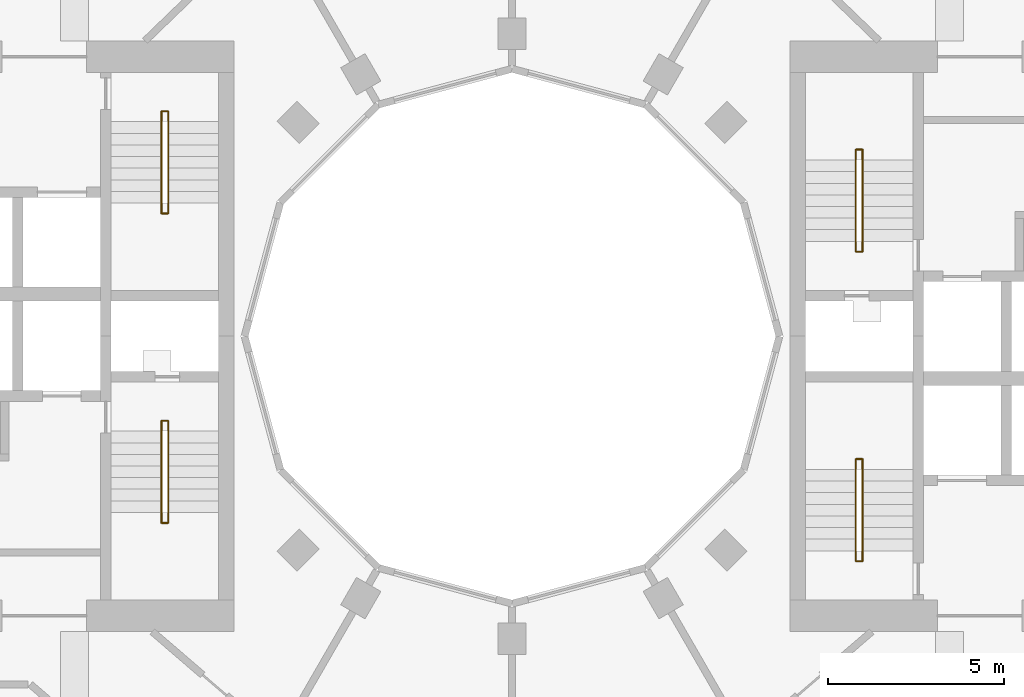
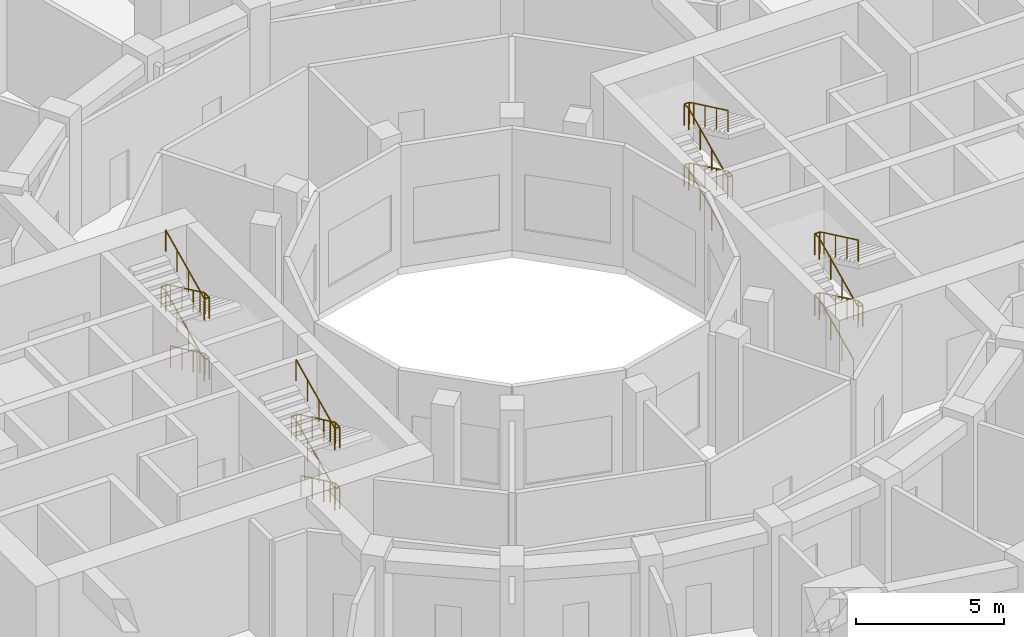
# One storey, part 18 of 19: 4 railings.
"""IFC4 building model written with IfcOpenShell, lengths in metres."""

from ifc_helpers import new_model, si_unit, direction, frame, origin, origin_2d, place, context, subcontext, project, spatial, circle, extrude, material, type_object, element, save


model = new_model("IFC4")

# Units and contexts
model_context = context("Model", 3, precision=1e-05, world=origin(), true_north=direction((0.0, 1.0)))
body_context = subcontext(model_context, "Body", "Model", "MODEL_VIEW")
ifc_project = project(units=[si_unit("LENGTHUNIT", "METRE"), si_unit("AREAUNIT", "SQUARE_METRE"), si_unit("VOLUMEUNIT", "CUBIC_METRE"), si_unit("PLANEANGLEUNIT", "RADIAN"), si_unit("MASSUNIT", "GRAM", prefix="KILO")], contexts=[model_context])

# Site, building, storey
site_placement = place(None, origin())
site = spatial("IfcSite", under=ifc_project, at=site_placement, CompositionType="ELEMENT")
building_placement = place(site_placement, origin())
building = spatial("IfcBuilding", under=site, at=building_placement, Name="Torre Brocal", CompositionType="ELEMENT")
storey_placement = place(building_placement, frame((0.0, 0.0, 23.800048828125)))
storey = spatial("IfcBuildingStorey", under=building, at=storey_placement, Name="L04", CompositionType="ELEMENT", Elevation=23.800048828125)

# Railings
ifc_material = material(Name="Stainless steel AISI 316", Category="steel")
railing_type = type_object("IfcRailingType", Name="STAIR HANDRAIL", PredefinedType="HANDRAIL", material=ifc_material)
railing_1_placement = place(storey_placement, frame((89.780029296875, 77.699951171875, 0.15625)))
element("IfcRailing", 1, at=railing_1_placement, inside=storey, type_object=railing_type, Name="HANDRAIL ST1", PredefinedType="HANDRAIL", context=body_context, shape_type="SweptSolid", body=[
    extrude(circle(Radius=0.02392578125, at=origin_2d()), frame((0.0, 0.0, 0.8759765625), z_axis=(0.0, 0.903811734687, 0.427930307694), x_axis=(-1.0, 0.0, 0.0)), (0.0, 0.0, 1.0), 2.555908203125),
    extrude(circle(Radius=0.02392578125, at=origin_2d()), frame((0.0, 2.31005859375, 1.9697265625), z_axis=(0.0, 1.0, 0.0), x_axis=(-1.0, 0.0, 0.0)), (0.0, 0.0, 1.0), 0.300048828125),
    extrude(circle(Radius=0.02392578125, at=origin_2d()), frame((0.0, 2.610107421875, 1.9697265625), z_axis=(1.0, 0.0, 0.0), x_axis=(0.0, 1.0, 0.0)), (0.0, 0.0, 1.0), 0.18994140625),
    extrude(circle(Radius=0.02392578125, at=origin_2d()), frame((0.18994140625, 2.610107421875, 1.9697265625), z_axis=(0.0, -0.886944881109, 0.461875283897), x_axis=(1.0, 0.0, 0.0)), (0.0, 0.0, 1.0), 0.33837890625),
    extrude(circle(Radius=0.02392578125, at=origin_2d()), frame((0.18994140625, 2.31005859375, 2.1259765625), z_axis=(0.0, -0.903811734687, 0.427930307694), x_axis=(1.0, 0.0, 0.0)), (0.0, 0.0, 1.0), 2.555908203125),
    extrude(circle(Radius=0.02392578125, at=origin_2d()), frame((0.18994140625, 0.0, 3.2197265625), z_axis=(0.0, -1.0, 0.0), x_axis=(1.0, 0.0, 0.0)), (0.0, 0.0, 1.0), 0.300048828125),
    extrude(circle(Radius=0.02392578125, at=origin_2d()), frame((0.18994140625, -0.300048828125, 3.2197265625), z_axis=(-1.0, 0.0, 0.0), x_axis=(0.0, -1.0, 0.0)), (0.0, 0.0, 1.0), 0.18994140625),
    extrude(circle(Radius=0.02392578125, at=origin_2d()), frame((0.0, -0.300048828125, 3.2197265625), z_axis=(0.0, 0.886944881109, 0.461875283897), x_axis=(-1.0, 0.0, 0.0)), (0.0, 0.0, 1.0), 0.33837890625),
    extrude(circle(Radius=0.02392578125, at=origin_2d()), frame((0.0, 0.0, 3.3759765625), z_axis=(0.0, 0.903811734687, 0.427930307694), x_axis=(-1.0, 0.0, 0.0)), (0.0, 0.0, 1.0), 2.555908203125),
    extrude(circle(Radius=0.02392578125, at=origin_2d()), frame((0.0, 2.31005859375, 4.4697265625), z_axis=(0.0, 1.0, 0.0), x_axis=(-1.0, 0.0, 0.0)), (0.0, 0.0, 1.0), 0.300048828125),
    extrude(circle(Radius=0.02392578125, at=origin_2d()), frame((0.0, 2.610107421875, 4.4697265625), z_axis=(1.0, 0.0, 0.0), x_axis=(0.0, 1.0, 0.0)), (0.0, 0.0, 1.0), 0.18994140625),
    extrude(circle(Radius=0.02392578125, at=origin_2d()), frame((0.18994140625, 2.610107421875, 4.4697265625), z_axis=(0.0, -0.886944881109, 0.461875283897), x_axis=(1.0, 0.0, 0.0)), (0.0, 0.0, 1.0), 0.33837890625),
    extrude(circle(Radius=0.02392578125, at=origin_2d()), frame((0.18994140625, 2.31005859375, 4.6259765625), z_axis=(0.0, -0.903811734687, 0.427930307694), x_axis=(1.0, 0.0, 0.0)), (0.0, 0.0, 1.0), 2.555908203125),
    extrude(circle(Radius=0.02099609375, at=origin_2d()), origin(), (0.0, 0.0, 1.0), 0.851806640625),
    extrude(circle(Radius=0.02099609375, at=origin_2d()), frame((0.0, 0.77001953125, 0.364501953125)), (0.0, 0.0, 1.0), 0.851806640625),
    extrude(circle(Radius=0.02099609375, at=origin_2d()), frame((0.0, 1.5400390625, 0.729248046875)), (0.0, 0.0, 1.0), 0.851806640625),
    extrude(circle(Radius=0.02099609375, at=origin_2d()), frame((0.0, 2.31005859375, 1.09375)), (0.0, 0.0, 1.0), 0.851806640625),
    extrude(circle(Radius=0.02099609375, at=origin_2d()), frame((0.0, 2.610107421875, 1.09375)), (0.0, 0.0, 1.0), 0.851806640625),
    extrude(circle(Radius=0.02099609375, at=origin_2d()), frame((0.18994140625, 2.610107421875, 1.09375)), (0.0, 0.0, 1.0), 0.851806640625),
    extrude(circle(Radius=0.02099609375, at=origin_2d()), frame((0.18994140625, 2.31005859375, 1.25)), (0.0, 0.0, 1.0), 0.851806640625),
    extrude(circle(Radius=0.02099609375, at=origin_2d()), frame((0.18994140625, 1.5400390625, 1.614501953125)), (0.0, 0.0, 1.0), 0.851806640625),
    extrude(circle(Radius=0.02099609375, at=origin_2d()), frame((0.18994140625, 0.77001953125, 1.979248046875)), (0.0, 0.0, 1.0), 0.851806640625),
    extrude(circle(Radius=0.02099609375, at=origin_2d()), frame((0.18994140625, 0.0, 2.34375)), (0.0, 0.0, 1.0), 0.851806640625),
    extrude(circle(Radius=0.02099609375, at=origin_2d()), frame((0.18994140625, -0.300048828125, 2.34375)), (0.0, 0.0, 1.0), 0.851806640625),
    extrude(circle(Radius=0.02099609375, at=origin_2d()), frame((0.0, -0.300048828125, 2.34375)), (0.0, 0.0, 1.0), 0.851806640625),
    extrude(circle(Radius=0.02099609375, at=origin_2d()), frame((0.0, 0.0, 2.5)), (0.0, 0.0, 1.0), 0.851806640625),
    extrude(circle(Radius=0.02099609375, at=origin_2d()), frame((0.0, 0.77001953125, 2.864501953125)), (0.0, 0.0, 1.0), 0.851806640625),
    extrude(circle(Radius=0.02099609375, at=origin_2d()), frame((0.0, 1.5400390625, 3.229248046875)), (0.0, 0.0, 1.0), 0.851806640625),
    extrude(circle(Radius=0.02099609375, at=origin_2d()), frame((0.0, 2.31005859375, 3.59375)), (0.0, 0.0, 1.0), 0.851806640625),
    extrude(circle(Radius=0.02099609375, at=origin_2d()), frame((0.0, 2.610107421875, 3.59375)), (0.0, 0.0, 1.0), 0.851806640625),
    extrude(circle(Radius=0.02099609375, at=origin_2d()), frame((0.18994140625, 2.610107421875, 3.59375)), (0.0, 0.0, 1.0), 0.851806640625),
    extrude(circle(Radius=0.02099609375, at=origin_2d()), frame((0.18994140625, 2.31005859375, 3.75)), (0.0, 0.0, 1.0), 0.851806640625),
    extrude(circle(Radius=0.02099609375, at=origin_2d()), frame((0.18994140625, 1.5400390625, 4.114501953125)), (0.0, 0.0, 1.0), 0.851806640625),
    extrude(circle(Radius=0.02099609375, at=origin_2d()), frame((0.18994140625, 0.77001953125, 4.479248046875)), (0.0, 0.0, 1.0), 0.851806640625),
    extrude(circle(Radius=0.02099609375, at=origin_2d()), frame((0.18994140625, 0.0, 4.84375)), (0.0, 0.0, 1.0), 0.851806640625),
])
railing_2_placement = place(storey_placement, frame((89.780029296875, 68.89990234375, 0.15625)))
element("IfcRailing", 2, at=railing_2_placement, inside=storey, type_object=railing_type, Name="HANDRAIL ST2", PredefinedType="HANDRAIL", context=body_context, shape_type="SweptSolid", body=[
    extrude(circle(Radius=0.02392578125, at=origin_2d()), frame((0.0, 0.0, 0.8759765625), z_axis=(0.0, 0.903811734687, 0.427930307694), x_axis=(-1.0, 0.0, 0.0)), (0.0, 0.0, 1.0), 2.555908203125),
    extrude(circle(Radius=0.02392578125, at=origin_2d()), frame((0.0, 2.31005859375, 1.9697265625), z_axis=(0.0, 1.0, 0.0), x_axis=(-1.0, 0.0, 0.0)), (0.0, 0.0, 1.0), 0.300048828125),
    extrude(circle(Radius=0.02392578125, at=origin_2d()), frame((0.0, 2.610107421875, 1.9697265625), z_axis=(1.0, 0.0, 0.0), x_axis=(0.0, 1.0, 0.0)), (0.0, 0.0, 1.0), 0.18994140625),
    extrude(circle(Radius=0.02392578125, at=origin_2d()), frame((0.18994140625, 2.610107421875, 1.9697265625), z_axis=(0.0, -0.886944881109, 0.461875283897), x_axis=(1.0, 0.0, 0.0)), (0.0, 0.0, 1.0), 0.33837890625),
    extrude(circle(Radius=0.02392578125, at=origin_2d()), frame((0.18994140625, 2.31005859375, 2.1259765625), z_axis=(0.0, -0.903811734687, 0.427930307694), x_axis=(1.0, 0.0, 0.0)), (0.0, 0.0, 1.0), 2.555908203125),
    extrude(circle(Radius=0.02392578125, at=origin_2d()), frame((0.18994140625, 0.0, 3.2197265625), z_axis=(0.0, -1.0, 0.0), x_axis=(1.0, 0.0, 0.0)), (0.0, 0.0, 1.0), 0.2998046875),
    extrude(circle(Radius=0.02392578125, at=origin_2d()), frame((0.18994140625, -0.2998046875, 3.2197265625), z_axis=(-1.0, 0.0, 0.0), x_axis=(0.0, -1.0, 0.0)), (0.0, 0.0, 1.0), 0.18994140625),
    extrude(circle(Radius=0.02392578125, at=origin_2d()), frame((0.0, -0.2998046875, 3.2197265625), z_axis=(0.0, 0.886790778033, 0.462171089529), x_axis=(-1.0, 0.0, 0.0)), (0.0, 0.0, 1.0), 0.338134765625),
    extrude(circle(Radius=0.02392578125, at=origin_2d()), frame((0.0, 0.0, 3.3759765625), z_axis=(0.0, 0.903811734687, 0.427930307694), x_axis=(-1.0, 0.0, 0.0)), (0.0, 0.0, 1.0), 2.555908203125),
    extrude(circle(Radius=0.02392578125, at=origin_2d()), frame((0.0, 2.31005859375, 4.4697265625), z_axis=(0.0, 1.0, 0.0), x_axis=(-1.0, 0.0, 0.0)), (0.0, 0.0, 1.0), 0.300048828125),
    extrude(circle(Radius=0.02392578125, at=origin_2d()), frame((0.0, 2.610107421875, 4.4697265625), z_axis=(1.0, 0.0, 0.0), x_axis=(0.0, 1.0, 0.0)), (0.0, 0.0, 1.0), 0.18994140625),
    extrude(circle(Radius=0.02392578125, at=origin_2d()), frame((0.18994140625, 2.610107421875, 4.4697265625), z_axis=(0.0, -0.886944881109, 0.461875283897), x_axis=(1.0, 0.0, 0.0)), (0.0, 0.0, 1.0), 0.33837890625),
    extrude(circle(Radius=0.02392578125, at=origin_2d()), frame((0.18994140625, 2.31005859375, 4.6259765625), z_axis=(0.0, -0.903811734687, 0.427930307694), x_axis=(1.0, 0.0, 0.0)), (0.0, 0.0, 1.0), 2.555908203125),
    extrude(circle(Radius=0.02099609375, at=origin_2d()), origin(), (0.0, 0.0, 1.0), 0.851806640625),
    extrude(circle(Radius=0.02099609375, at=origin_2d()), frame((0.0, 0.77001953125, 0.364501953125)), (0.0, 0.0, 1.0), 0.851806640625),
    extrude(circle(Radius=0.02099609375, at=origin_2d()), frame((0.0, 1.5400390625, 0.729248046875)), (0.0, 0.0, 1.0), 0.851806640625),
    extrude(circle(Radius=0.02099609375, at=origin_2d()), frame((0.0, 2.31005859375, 1.09375)), (0.0, 0.0, 1.0), 0.851806640625),
    extrude(circle(Radius=0.02099609375, at=origin_2d()), frame((0.0, 2.610107421875, 1.09375)), (0.0, 0.0, 1.0), 0.851806640625),
    extrude(circle(Radius=0.02099609375, at=origin_2d()), frame((0.18994140625, 2.610107421875, 1.09375)), (0.0, 0.0, 1.0), 0.851806640625),
    extrude(circle(Radius=0.02099609375, at=origin_2d()), frame((0.18994140625, 2.31005859375, 1.25)), (0.0, 0.0, 1.0), 0.851806640625),
    extrude(circle(Radius=0.02099609375, at=origin_2d()), frame((0.18994140625, 1.5400390625, 1.614501953125)), (0.0, 0.0, 1.0), 0.851806640625),
    extrude(circle(Radius=0.02099609375, at=origin_2d()), frame((0.18994140625, 0.77001953125, 1.979248046875)), (0.0, 0.0, 1.0), 0.851806640625),
    extrude(circle(Radius=0.02099609375, at=origin_2d()), frame((0.18994140625, 0.0, 2.34375)), (0.0, 0.0, 1.0), 0.851806640625),
    extrude(circle(Radius=0.02099609375, at=origin_2d()), frame((0.18994140625, -0.2998046875, 2.34375)), (0.0, 0.0, 1.0), 0.851806640625),
    extrude(circle(Radius=0.02099609375, at=origin_2d()), frame((0.0, -0.2998046875, 2.34375)), (0.0, 0.0, 1.0), 0.851806640625),
    extrude(circle(Radius=0.02099609375, at=origin_2d()), frame((0.0, 0.0, 2.5)), (0.0, 0.0, 1.0), 0.851806640625),
    extrude(circle(Radius=0.02099609375, at=origin_2d()), frame((0.0, 0.77001953125, 2.864501953125)), (0.0, 0.0, 1.0), 0.851806640625),
    extrude(circle(Radius=0.02099609375, at=origin_2d()), frame((0.0, 1.5400390625, 3.229248046875)), (0.0, 0.0, 1.0), 0.851806640625),
    extrude(circle(Radius=0.02099609375, at=origin_2d()), frame((0.0, 2.31005859375, 3.59375)), (0.0, 0.0, 1.0), 0.851806640625),
    extrude(circle(Radius=0.02099609375, at=origin_2d()), frame((0.0, 2.610107421875, 3.59375)), (0.0, 0.0, 1.0), 0.851806640625),
    extrude(circle(Radius=0.02099609375, at=origin_2d()), frame((0.18994140625, 2.610107421875, 3.59375)), (0.0, 0.0, 1.0), 0.851806640625),
    extrude(circle(Radius=0.02099609375, at=origin_2d()), frame((0.18994140625, 2.31005859375, 3.75)), (0.0, 0.0, 1.0), 0.851806640625),
    extrude(circle(Radius=0.02099609375, at=origin_2d()), frame((0.18994140625, 1.5400390625, 4.114501953125)), (0.0, 0.0, 1.0), 0.851806640625),
    extrude(circle(Radius=0.02099609375, at=origin_2d()), frame((0.18994140625, 0.77001953125, 4.479248046875)), (0.0, 0.0, 1.0), 0.851806640625),
    extrude(circle(Radius=0.02099609375, at=origin_2d()), frame((0.18994140625, 0.0, 4.84375)), (0.0, 0.0, 1.0), 0.851806640625),
])
railing_3_placement = place(storey_placement, frame((70.219970703125, 72.300048828125, 0.15625)))
element("IfcRailing", 3, at=railing_3_placement, inside=storey, type_object=railing_type, Name="HANDRAIL ST3", PredefinedType="HANDRAIL", context=body_context, shape_type="SweptSolid", body=[
    extrude(circle(Radius=0.02392578125, at=origin_2d()), frame((0.0, 0.0, 0.8759765625), z_axis=(0.0, -0.903811734687, 0.427930307694), x_axis=(1.0, 0.0, 0.0)), (0.0, 0.0, 1.0), 2.555908203125),
    extrude(circle(Radius=0.02392578125, at=origin_2d()), frame((0.0, -2.31005859375, 1.9697265625), z_axis=(0.0, -1.0, 0.0), x_axis=(1.0, 0.0, 0.0)), (0.0, 0.0, 1.0), 0.300048828125),
    extrude(circle(Radius=0.02392578125, at=origin_2d()), frame((0.0, -2.610107421875, 1.9697265625), z_axis=(-1.0, 0.0, 0.0), x_axis=(0.0, -1.0, 0.0)), (0.0, 0.0, 1.0), 0.18994140625),
    extrude(circle(Radius=0.02392578125, at=origin_2d()), frame((-0.18994140625, -2.610107421875, 1.9697265625), z_axis=(0.0, 0.886944881109, 0.461875283897), x_axis=(-1.0, 0.0, 0.0)), (0.0, 0.0, 1.0), 0.33837890625),
    extrude(circle(Radius=0.02392578125, at=origin_2d()), frame((-0.18994140625, -2.31005859375, 2.1259765625), z_axis=(0.0, 0.903811734687, 0.427930307694), x_axis=(-1.0, 0.0, 0.0)), (0.0, 0.0, 1.0), 2.555908203125),
    extrude(circle(Radius=0.02392578125, at=origin_2d()), frame((-0.18994140625, 0.0, 3.2197265625), z_axis=(0.0, 1.0, 0.0), x_axis=(-1.0, 0.0, 0.0)), (0.0, 0.0, 1.0), 0.300048828125),
    extrude(circle(Radius=0.02392578125, at=origin_2d()), frame((-0.18994140625, 0.300048828125, 3.2197265625), z_axis=(1.0, 0.0, 0.0), x_axis=(0.0, 1.0, 0.0)), (0.0, 0.0, 1.0), 0.18994140625),
    extrude(circle(Radius=0.02392578125, at=origin_2d()), frame((0.0, 0.300048828125, 3.2197265625), z_axis=(0.0, -0.886944881109, 0.461875283897), x_axis=(1.0, 0.0, 0.0)), (0.0, 0.0, 1.0), 0.33837890625),
    extrude(circle(Radius=0.02392578125, at=origin_2d()), frame((0.0, 0.0, 3.3759765625), z_axis=(0.0, -0.903811734687, 0.427930307694), x_axis=(1.0, 0.0, 0.0)), (0.0, 0.0, 1.0), 2.555908203125),
    extrude(circle(Radius=0.02392578125, at=origin_2d()), frame((0.0, -2.31005859375, 4.4697265625), z_axis=(0.0, -1.0, 0.0), x_axis=(1.0, 0.0, 0.0)), (0.0, 0.0, 1.0), 0.300048828125),
    extrude(circle(Radius=0.02392578125, at=origin_2d()), frame((0.0, -2.610107421875, 4.4697265625), z_axis=(-1.0, 0.0, 0.0), x_axis=(0.0, -1.0, 0.0)), (0.0, 0.0, 1.0), 0.18994140625),
    extrude(circle(Radius=0.02392578125, at=origin_2d()), frame((-0.18994140625, -2.610107421875, 4.4697265625), z_axis=(0.0, 0.886944881109, 0.461875283897), x_axis=(-1.0, 0.0, 0.0)), (0.0, 0.0, 1.0), 0.33837890625),
    extrude(circle(Radius=0.02392578125, at=origin_2d()), frame((-0.18994140625, -2.31005859375, 4.6259765625), z_axis=(0.0, 0.903811734687, 0.427930307694), x_axis=(-1.0, 0.0, 0.0)), (0.0, 0.0, 1.0), 2.555908203125),
    extrude(circle(Radius=0.02099609375, at=origin_2d()), origin(), (0.0, 0.0, 1.0), 0.851806640625),
    extrude(circle(Radius=0.02099609375, at=origin_2d()), frame((0.0, -0.77001953125, 0.364501953125)), (0.0, 0.0, 1.0), 0.851806640625),
    extrude(circle(Radius=0.02099609375, at=origin_2d()), frame((0.0, -1.5400390625, 0.729248046875)), (0.0, 0.0, 1.0), 0.851806640625),
    extrude(circle(Radius=0.02099609375, at=origin_2d()), frame((0.0, -2.31005859375, 1.09375)), (0.0, 0.0, 1.0), 0.851806640625),
    extrude(circle(Radius=0.02099609375, at=origin_2d()), frame((0.0, -2.610107421875, 1.09375)), (0.0, 0.0, 1.0), 0.851806640625),
    extrude(circle(Radius=0.02099609375, at=origin_2d()), frame((-0.18994140625, -2.610107421875, 1.09375)), (0.0, 0.0, 1.0), 0.851806640625),
    extrude(circle(Radius=0.02099609375, at=origin_2d()), frame((-0.18994140625, -2.31005859375, 1.25)), (0.0, 0.0, 1.0), 0.851806640625),
    extrude(circle(Radius=0.02099609375, at=origin_2d()), frame((-0.18994140625, -1.5400390625, 1.614501953125)), (0.0, 0.0, 1.0), 0.851806640625),
    extrude(circle(Radius=0.02099609375, at=origin_2d()), frame((-0.18994140625, -0.77001953125, 1.979248046875)), (0.0, 0.0, 1.0), 0.851806640625),
    extrude(circle(Radius=0.02099609375, at=origin_2d()), frame((-0.18994140625, 0.0, 2.34375)), (0.0, 0.0, 1.0), 0.851806640625),
    extrude(circle(Radius=0.02099609375, at=origin_2d()), frame((-0.18994140625, 0.300048828125, 2.34375)), (0.0, 0.0, 1.0), 0.851806640625),
    extrude(circle(Radius=0.02099609375, at=origin_2d()), frame((0.0, 0.300048828125, 2.34375)), (0.0, 0.0, 1.0), 0.851806640625),
    extrude(circle(Radius=0.02099609375, at=origin_2d()), frame((0.0, 0.0, 2.5)), (0.0, 0.0, 1.0), 0.851806640625),
    extrude(circle(Radius=0.02099609375, at=origin_2d()), frame((0.0, -0.77001953125, 2.864501953125)), (0.0, 0.0, 1.0), 0.851806640625),
    extrude(circle(Radius=0.02099609375, at=origin_2d()), frame((0.0, -1.5400390625, 3.229248046875)), (0.0, 0.0, 1.0), 0.851806640625),
    extrude(circle(Radius=0.02099609375, at=origin_2d()), frame((0.0, -2.31005859375, 3.59375)), (0.0, 0.0, 1.0), 0.851806640625),
    extrude(circle(Radius=0.02099609375, at=origin_2d()), frame((0.0, -2.610107421875, 3.59375)), (0.0, 0.0, 1.0), 0.851806640625),
    extrude(circle(Radius=0.02099609375, at=origin_2d()), frame((-0.18994140625, -2.610107421875, 3.59375)), (0.0, 0.0, 1.0), 0.851806640625),
    extrude(circle(Radius=0.02099609375, at=origin_2d()), frame((-0.18994140625, -2.31005859375, 3.75)), (0.0, 0.0, 1.0), 0.851806640625),
    extrude(circle(Radius=0.02099609375, at=origin_2d()), frame((-0.18994140625, -1.5400390625, 4.114501953125)), (0.0, 0.0, 1.0), 0.851806640625),
    extrude(circle(Radius=0.02099609375, at=origin_2d()), frame((-0.18994140625, -0.77001953125, 4.479248046875)), (0.0, 0.0, 1.0), 0.851806640625),
    extrude(circle(Radius=0.02099609375, at=origin_2d()), frame((-0.18994140625, 0.0, 4.84375)), (0.0, 0.0, 1.0), 0.851806640625),
])
railing_4_placement = place(storey_placement, frame((70.219970703125, 81.10009765625, 0.15625)))
element("IfcRailing", 4, at=railing_4_placement, inside=storey, type_object=railing_type, Name="HANDRAIL ST4", PredefinedType="HANDRAIL", context=body_context, shape_type="SweptSolid", body=[
    extrude(circle(Radius=0.02392578125, at=origin_2d()), frame((0.0, 0.0, 0.8759765625), z_axis=(0.0, -0.903811734687, 0.427930307694), x_axis=(1.0, 0.0, 0.0)), (0.0, 0.0, 1.0), 2.555908203125),
    extrude(circle(Radius=0.02392578125, at=origin_2d()), frame((0.0, -2.31005859375, 1.9697265625), z_axis=(0.0, -1.0, 0.0), x_axis=(1.0, 0.0, 0.0)), (0.0, 0.0, 1.0), 0.300048828125),
    extrude(circle(Radius=0.02392578125, at=origin_2d()), frame((0.0, -2.610107421875, 1.9697265625), z_axis=(-1.0, 0.0, 0.0), x_axis=(0.0, -1.0, 0.0)), (0.0, 0.0, 1.0), 0.18994140625),
    extrude(circle(Radius=0.02392578125, at=origin_2d()), frame((-0.18994140625, -2.610107421875, 1.9697265625), z_axis=(0.0, 0.886944881109, 0.461875283897), x_axis=(-1.0, 0.0, 0.0)), (0.0, 0.0, 1.0), 0.33837890625),
    extrude(circle(Radius=0.02392578125, at=origin_2d()), frame((-0.18994140625, -2.31005859375, 2.1259765625), z_axis=(0.0, 0.903811734687, 0.427930307694), x_axis=(-1.0, 0.0, 0.0)), (0.0, 0.0, 1.0), 2.555908203125),
    extrude(circle(Radius=0.02392578125, at=origin_2d()), frame((-0.18994140625, 0.0, 3.2197265625), z_axis=(0.0, 1.0, 0.0), x_axis=(-1.0, 0.0, 0.0)), (0.0, 0.0, 1.0), 0.2998046875),
    extrude(circle(Radius=0.02392578125, at=origin_2d()), frame((-0.18994140625, 0.2998046875, 3.2197265625), z_axis=(1.0, 0.0, 0.0), x_axis=(0.0, 1.0, 0.0)), (0.0, 0.0, 1.0), 0.18994140625),
    extrude(circle(Radius=0.02392578125, at=origin_2d()), frame((0.0, 0.2998046875, 3.2197265625), z_axis=(0.0, -0.886790778033, 0.462171089529), x_axis=(1.0, 0.0, 0.0)), (0.0, 0.0, 1.0), 0.338134765625),
    extrude(circle(Radius=0.02392578125, at=origin_2d()), frame((0.0, 0.0, 3.3759765625), z_axis=(0.0, -0.903811734687, 0.427930307694), x_axis=(1.0, 0.0, 0.0)), (0.0, 0.0, 1.0), 2.555908203125),
    extrude(circle(Radius=0.02392578125, at=origin_2d()), frame((0.0, -2.31005859375, 4.4697265625), z_axis=(0.0, -1.0, 0.0), x_axis=(1.0, 0.0, 0.0)), (0.0, 0.0, 1.0), 0.300048828125),
    extrude(circle(Radius=0.02392578125, at=origin_2d()), frame((0.0, -2.610107421875, 4.4697265625), z_axis=(-1.0, 0.0, 0.0), x_axis=(0.0, -1.0, 0.0)), (0.0, 0.0, 1.0), 0.18994140625),
    extrude(circle(Radius=0.02392578125, at=origin_2d()), frame((-0.18994140625, -2.610107421875, 4.4697265625), z_axis=(0.0, 0.886944881109, 0.461875283897), x_axis=(-1.0, 0.0, 0.0)), (0.0, 0.0, 1.0), 0.33837890625),
    extrude(circle(Radius=0.02392578125, at=origin_2d()), frame((-0.18994140625, -2.31005859375, 4.6259765625), z_axis=(0.0, 0.903811734687, 0.427930307694), x_axis=(-1.0, 0.0, 0.0)), (0.0, 0.0, 1.0), 2.555908203125),
    extrude(circle(Radius=0.02099609375, at=origin_2d()), origin(), (0.0, 0.0, 1.0), 0.851806640625),
    extrude(circle(Radius=0.02099609375, at=origin_2d()), frame((0.0, -0.77001953125, 0.364501953125)), (0.0, 0.0, 1.0), 0.851806640625),
    extrude(circle(Radius=0.02099609375, at=origin_2d()), frame((0.0, -1.5400390625, 0.729248046875)), (0.0, 0.0, 1.0), 0.851806640625),
    extrude(circle(Radius=0.02099609375, at=origin_2d()), frame((0.0, -2.31005859375, 1.09375)), (0.0, 0.0, 1.0), 0.851806640625),
    extrude(circle(Radius=0.02099609375, at=origin_2d()), frame((0.0, -2.610107421875, 1.09375)), (0.0, 0.0, 1.0), 0.851806640625),
    extrude(circle(Radius=0.02099609375, at=origin_2d()), frame((-0.18994140625, -2.610107421875, 1.09375)), (0.0, 0.0, 1.0), 0.851806640625),
    extrude(circle(Radius=0.02099609375, at=origin_2d()), frame((-0.18994140625, -2.31005859375, 1.25)), (0.0, 0.0, 1.0), 0.851806640625),
    extrude(circle(Radius=0.02099609375, at=origin_2d()), frame((-0.18994140625, -1.5400390625, 1.614501953125)), (0.0, 0.0, 1.0), 0.851806640625),
    extrude(circle(Radius=0.02099609375, at=origin_2d()), frame((-0.18994140625, -0.77001953125, 1.979248046875)), (0.0, 0.0, 1.0), 0.851806640625),
    extrude(circle(Radius=0.02099609375, at=origin_2d()), frame((-0.18994140625, 0.0, 2.34375)), (0.0, 0.0, 1.0), 0.851806640625),
    extrude(circle(Radius=0.02099609375, at=origin_2d()), frame((-0.18994140625, 0.2998046875, 2.34375)), (0.0, 0.0, 1.0), 0.851806640625),
    extrude(circle(Radius=0.02099609375, at=origin_2d()), frame((0.0, 0.2998046875, 2.34375)), (0.0, 0.0, 1.0), 0.851806640625),
    extrude(circle(Radius=0.02099609375, at=origin_2d()), frame((0.0, 0.0, 2.5)), (0.0, 0.0, 1.0), 0.851806640625),
    extrude(circle(Radius=0.02099609375, at=origin_2d()), frame((0.0, -0.77001953125, 2.864501953125)), (0.0, 0.0, 1.0), 0.851806640625),
    extrude(circle(Radius=0.02099609375, at=origin_2d()), frame((0.0, -1.5400390625, 3.229248046875)), (0.0, 0.0, 1.0), 0.851806640625),
    extrude(circle(Radius=0.02099609375, at=origin_2d()), frame((0.0, -2.31005859375, 3.59375)), (0.0, 0.0, 1.0), 0.851806640625),
    extrude(circle(Radius=0.02099609375, at=origin_2d()), frame((0.0, -2.610107421875, 3.59375)), (0.0, 0.0, 1.0), 0.851806640625),
    extrude(circle(Radius=0.02099609375, at=origin_2d()), frame((-0.18994140625, -2.610107421875, 3.59375)), (0.0, 0.0, 1.0), 0.851806640625),
    extrude(circle(Radius=0.02099609375, at=origin_2d()), frame((-0.18994140625, -2.31005859375, 3.75)), (0.0, 0.0, 1.0), 0.851806640625),
    extrude(circle(Radius=0.02099609375, at=origin_2d()), frame((-0.18994140625, -1.5400390625, 4.114501953125)), (0.0, 0.0, 1.0), 0.851806640625),
    extrude(circle(Radius=0.02099609375, at=origin_2d()), frame((-0.18994140625, -0.77001953125, 4.479248046875)), (0.0, 0.0, 1.0), 0.851806640625),
    extrude(circle(Radius=0.02099609375, at=origin_2d()), frame((-0.18994140625, 0.0, 4.84375)), (0.0, 0.0, 1.0), 0.851806640625),
])

save(model, "model.ifc")
